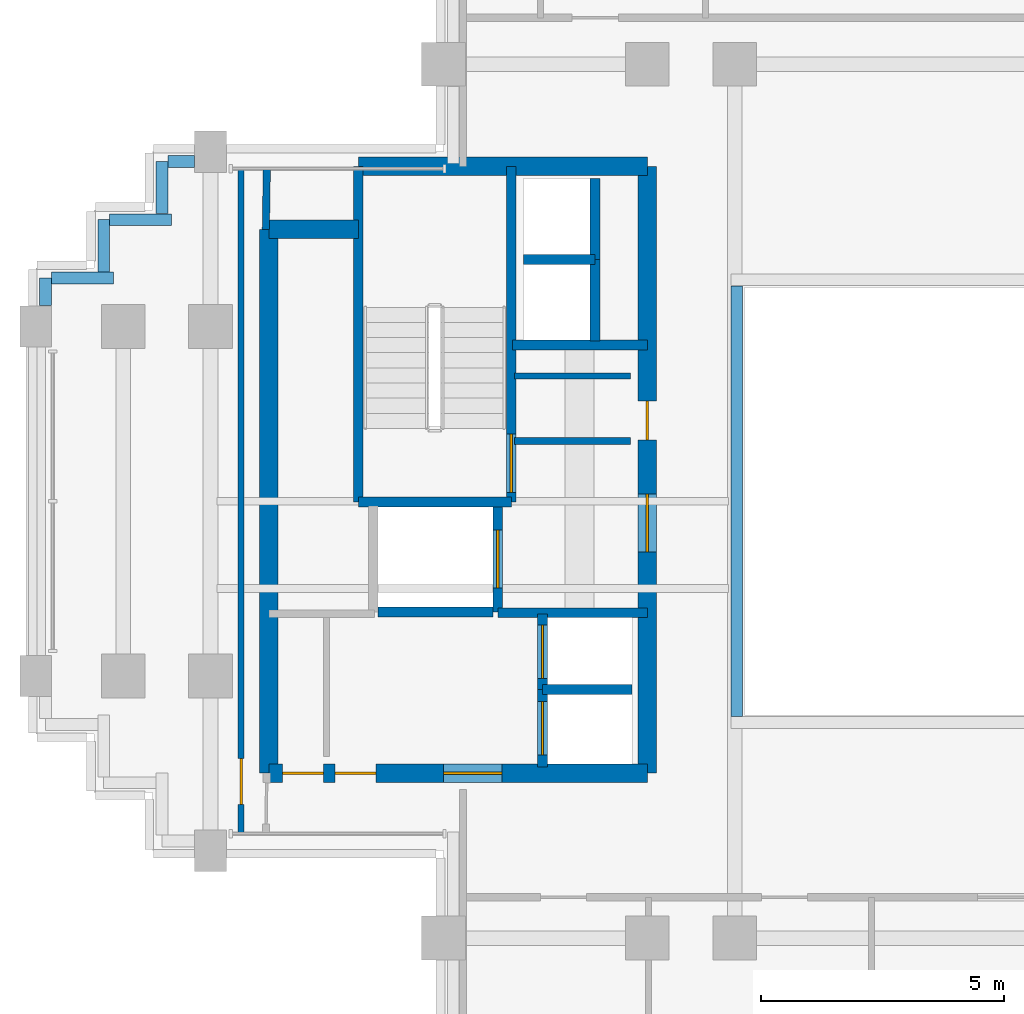
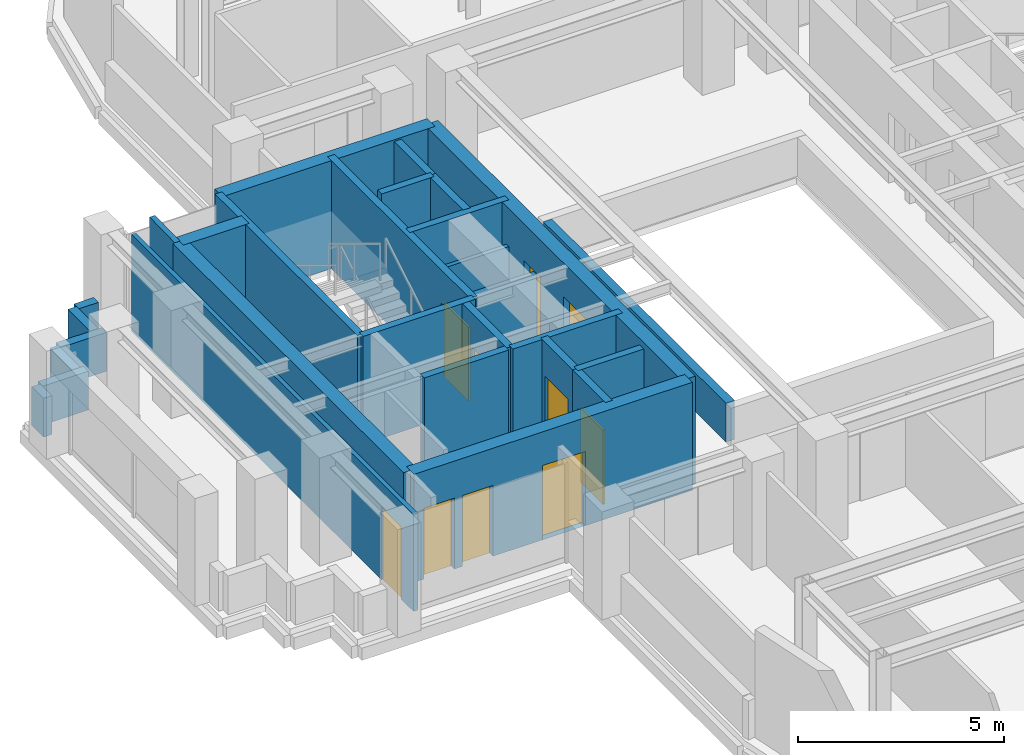
# One storey, part 6 of 11: 29 walls, 10 doors, 10 openings.
"""IFC4 building model written with IfcOpenShell, lengths in metres."""

from ifc_helpers import new_model, si_unit, direction, frame, frame_2d, origin, place, context, subcontext, project, spatial, rectangle, extrude, source, transform, mapped, material, layer, layer_set, type_object, element, fill, save


model = new_model("IFC4")

# Units and contexts
model_context = context("Model", 3, precision=1e-05, world=origin(), true_north=direction((0.0, 1.0)))
body_context = subcontext(model_context, "Body", "Model", "MODEL_VIEW")
ifc_project = project(units=[si_unit("LENGTHUNIT", "METRE"), si_unit("AREAUNIT", "SQUARE_METRE"), si_unit("VOLUMEUNIT", "CUBIC_METRE"), si_unit("PLANEANGLEUNIT", "RADIAN"), si_unit("MASSUNIT", "GRAM", prefix="KILO")], contexts=[model_context])

# Site, building, storey
site_placement = place(None, origin())
site = spatial("IfcSite", under=ifc_project, at=site_placement, CompositionType="ELEMENT")
building_placement = place(site_placement, origin())
building = spatial("IfcBuilding", under=site, at=building_placement, Name="Keilestroom Media Tower", CompositionType="ELEMENT")
storey_placement = place(building_placement, frame((0.0, 0.0, 167.199951171875)))
storey = spatial("IfcBuildingStorey", under=building, at=storey_placement, Name="L45", CompositionType="ELEMENT", Elevation=167.199951171875)

# Wall
ifc_material_1 = material(Name="Gypsum Plasterboard & Steel Stud", Category="steel")
ifc_layer_1 = layer(ifc_material_1, 0.1201171875)
ifc_layer_set_1 = layer_set([ifc_layer_1], Name="Gypsum Plasterboard & Steel Stud")
wall_type_1 = type_object("IfcWallType", Name="Interior-Partition-Wall-120", PredefinedType="PARTITIONING", material=ifc_layer_set_1)
wall_1_placement = place(storey_placement, frame((-8.139892578125, 2.580078125, 0.0), z_axis=(0.0, 0.0, 1.0), x_axis=(1.0, 0.0, 0.0)))
element("IfcWall", 1, at=wall_1_placement, inside=storey, type_object=wall_type_1, Name="L45 Interior Wall WP-L45-CNW-N", PredefinedType="PARTITIONING", context=body_context, shape_type="SweptSolid", body=[
    extrude(rectangle(XDim=2.389892578125, YDim=0.1201171875, at=frame_2d((1.19482421875, 0.0))), origin(), (0.0, 0.0, 1.0), 2.300048828125),
])

# Wall, opening, door
wall_2_placement = place(storey_placement, frame((-13.77001953125, -6.85009765625, 0.0), z_axis=(0.0, 0.0, 1.0), x_axis=(0.0, 1.0, 0.0)))
wall_2 = element("IfcWall", 2, at=wall_2_placement, inside=storey, type_object=wall_type_1, Name="L45 Interior Wall WP-L45-WA-CE", PredefinedType="PARTITIONING", context=body_context, shape_type="SweptSolid", body=[
    extrude(rectangle(XDim=13.7001953125, YDim=0.1201171875, at=frame_2d((6.85009765625, 0.0))), origin(), (0.0, 0.0, 1.0), 2.8701171875),
])
opening_1_placement = place(wall_2_placement, frame((0.60009765625, 0.0, 0.0)))
opening_1 = element("IfcOpeningElement", 3, at=opening_1_placement, cuts=wall_2, Name="Opening DI-03", PredefinedType="OPENING", context=body_context, shape_type="SweptSolid", body=[
    extrude(rectangle(XDim=0.949951171875, YDim=2.14990234375, at=frame_2d((0.47509765625, 1.074951171875))), frame((0.0, 0.070068359375, 0.0), z_axis=(0.0, -1.0, 0.0), x_axis=(1.0, 0.0, 0.0)), (0.0, 0.0, 1.0), 0.14013671875),
])
ifc_material_2 = material(Name="Lacquered European Oak Leaf", Category="wood")
door_type_1 = type_object("IfcDoorType", Name="Interior-Room-And-Suite-Door-DI-03", OperationType="NOTDEFINED", PredefinedType="DOOR", material=ifc_material_2)
shared_shape_1 = source(origin(), body_context, "Body", "SweptSolid", [
    extrude(rectangle(XDim=0.949951171875, YDim=2.14990234375, at=frame_2d((0.47509765625, 1.074951171875))), frame((0.0, 0.02490234375, 0.0), z_axis=(0.0, -1.0, 0.0), x_axis=(1.0, 0.0, 0.0)), (0.0, 0.0, 1.0), 0.050048828125),
])
door_1_placement = place(opening_1_placement, origin())
door_1 = element("IfcDoor", 4, at=door_1_placement, inside=storey, type_object=door_type_1, Name="L45 Interior Door DI-L45-DWA-END", OperationType="SINGLE_SWING_LEFT", OverallHeight=2.14990234375, OverallWidth=0.949951171875, PredefinedType="DOOR", context=body_context, shape_type="MappedRepresentation", body=[
    mapped(shared_shape_1, transform((0.0, 0.0, 0.0), x_axis=(1.0, 0.0, 0.0), y_axis=(0.0, 1.0, 0.0), z_axis=(0.0, 0.0, 1.0), scale=1.0)),
])
fill(opening_1, door_1)

# Walls
ifc_layer_2 = layer(ifc_material_1, 0.14990234375)
ifc_layer_set_2 = layer_set([ifc_layer_2], Name="Gypsum Plasterboard & Steel Stud")
wall_type_2 = type_object("IfcWallType", Name="Interior-Partition-Wall-150", PredefinedType="PARTITIONING", material=ifc_layer_set_2)
wall_3_placement = place(storey_placement, frame((-8.139892578125, 1.239990234375, 0.0), z_axis=(0.0, 0.0, 1.0), x_axis=(1.0, 0.0, 0.0)))
element("IfcWall", 5, at=wall_3_placement, inside=storey, type_object=wall_type_2, Name="L45 Interior Wall WP-L45-FFW-TOP", PredefinedType="PARTITIONING", context=body_context, shape_type="SweptSolid", body=[
    extrude(rectangle(XDim=2.389892578125, YDim=0.14990234375, at=frame_2d((1.19482421875, 0.0))), origin(), (0.0, 0.0, 1.0), 2.300048828125),
])
wall_4_placement = place(storey_placement, frame((-13.260009765625, 5.60009765625, 0.0), z_axis=(0.0, 0.0, 1.0), x_axis=(0.016013571389, 0.999871774545, 0.0)))
element("IfcWall", 6, at=wall_4_placement, inside=storey, type_object=wall_type_2, Name="L45 Interior Wall WP-L45-WA-ENTN", PredefinedType="PARTITIONING", context=body_context, shape_type="SweptSolid", body=[
    extrude(rectangle(XDim=1.250244140625, YDim=0.14990234375, at=frame_2d((0.625, 0.0))), origin(), (0.0, 0.0, 1.0), 3.199951171875),
])
ifc_material_3 = material(Name="Concrete C55/67", Category="concrete")
ifc_layer_3 = layer(ifc_material_3, 0.3798828125)
ifc_layer_set_3 = layer_set([ifc_layer_3], Name="Concrete C55/67")
wall_type_3 = type_object("IfcWallType", Name="Reinforced-Concrete-Core-Shear-Wall-380", PredefinedType="SHEAR", material=ifc_layer_set_3)
wall_5_placement = place(storey_placement, frame((-13.199951171875, -5.60009765625, 0.0), z_axis=(0.0, 0.0, 1.0), x_axis=(0.0, 1.0, 0.0)))
element("IfcWall", 7, at=wall_5_placement, inside=storey, type_object=wall_type_3, Name="L45 Core Shear Wall WL-L45-CORE-W-OUT", PredefinedType="SHEAR", context=body_context, shape_type="SweptSolid", body=[
    extrude(rectangle(XDim=11.2001953125, YDim=0.3798828125, at=frame_2d((5.60009765625, 0.0))), origin(), (0.0, 0.0, 1.0), 3.199951171875),
])

# Wall, openings, doors
wall_6_placement = place(storey_placement, frame((-5.39990234375, -5.60009765625, 0.0), z_axis=(0.0, 0.0, 1.0), x_axis=(0.0, 1.0, 0.0)))
wall_6 = element("IfcWall", 8, at=wall_6_placement, inside=storey, type_object=wall_type_3, Name="L45 Core Shear Wall WL-L45-CORE-W-IN", PredefinedType="SHEAR", context=body_context, shape_type="SweptSolid", body=[
    extrude(rectangle(XDim=12.5, YDim=0.3798828125, at=frame_2d((6.25, 0.0))), origin(), (0.0, 0.0, 1.0), 3.199951171875),
])
opening_2_placement = place(wall_6_placement, frame((4.550048828125, 0.0, 0.0)))
opening_2 = element("IfcOpeningElement", 9, at=opening_2_placement, cuts=wall_6, Name="Opening DI-02", PredefinedType="OPENING", context=body_context, shape_type="SweptSolid", body=[
    extrude(rectangle(XDim=1.199951171875, YDim=2.199951171875, at=frame_2d((0.60009765625, 1.10009765625))), frame((0.0, 0.199951171875, 0.0), z_axis=(0.0, -1.0, 0.0), x_axis=(1.0, 0.0, 0.0)), (0.0, 0.0, 1.0), 0.39990234375),
])
opening_3_placement = place(wall_6_placement, frame((6.860107421875, 0.0, 0.0)))
opening_3 = element("IfcOpeningElement", 10, at=opening_3_placement, cuts=wall_6, Name="Opening DI-06", PredefinedType="OPENING", context=body_context, shape_type="SweptSolid", body=[
    extrude(rectangle(XDim=0.800048828125, YDim=2.10009765625, at=frame_2d((0.39990234375, 1.050048828125))), frame((0.0, 0.199951171875, 0.0), z_axis=(0.0, -1.0, 0.0), x_axis=(1.0, 0.0, 0.0)), (0.0, 0.0, 1.0), 0.39990234375),
])
ifc_material_4 = material(Name="Powder-Coated Steel Fire Leaf", Category="steel")
door_type_2 = type_object("IfcDoorType", Name="Interior-Compartment-Fire-Door-DI-02", OperationType="NOTDEFINED", PredefinedType="DOOR", material=ifc_material_4)
shared_shape_2 = source(origin(), body_context, "Body", "SweptSolid", [
    extrude(rectangle(XDim=1.199951171875, YDim=2.199951171875, at=frame_2d((0.60009765625, 1.10009765625))), frame((0.0, 0.02490234375, 0.0), z_axis=(0.0, -1.0, 0.0), x_axis=(1.0, 0.0, 0.0)), (0.0, 0.0, 1.0), 0.050048828125),
])
door_2_placement = place(opening_2_placement, origin())
door_2 = element("IfcDoor", 11, at=door_2_placement, inside=storey, type_object=door_type_2, Name="L45 W Firefighting Lobby Door", OperationType="SINGLE_SWING_RIGHT", OverallHeight=2.199951171875, OverallWidth=1.199951171875, PredefinedType="DOOR", context=body_context, shape_type="MappedRepresentation", body=[
    mapped(shared_shape_2, transform((0.0, 0.0, 0.0), x_axis=(1.0, 0.0, 0.0), y_axis=(0.0, 1.0, 0.0), z_axis=(0.0, 0.0, 1.0), scale=1.0)),
])
fill(opening_2, door_2)
ifc_material_5 = material(Name="Powder-Coated Steel Service Leaf", Category="steel")
door_type_3 = type_object("IfcDoorType", Name="Interior-Riser-Access-Door-DI-06", OperationType="NOTDEFINED", PredefinedType="DOOR", material=ifc_material_5)
shared_shape_3 = source(origin(), body_context, "Body", "SweptSolid", [
    extrude(rectangle(XDim=0.800048828125, YDim=2.10009765625, at=frame_2d((0.39990234375, 1.050048828125))), frame((0.0, 0.02490234375, 0.0), z_axis=(0.0, -1.0, 0.0), x_axis=(1.0, 0.0, 0.0)), (0.0, 0.0, 1.0), 0.050048828125),
])
door_3_placement = place(opening_3_placement, origin())
door_3 = element("IfcDoor", 12, at=door_3_placement, inside=storey, type_object=door_type_3, Name="L45 West Core Switchroom Door", OperationType="SINGLE_SWING_LEFT", OverallHeight=2.10009765625, OverallWidth=0.800048828125, PredefinedType="DOOR", context=body_context, shape_type="MappedRepresentation", body=[
    mapped(shared_shape_3, transform((0.0, 0.0, 0.0), x_axis=(1.0, 0.0, 0.0), y_axis=(0.0, 1.0, 0.0), z_axis=(0.0, 0.0, 1.0), scale=1.0)),
])
fill(opening_3, door_3)

# Walls
wall_7_placement = place(storey_placement, frame((-11.35595703125, 6.89990234375, 0.0), z_axis=(0.0, 0.0, 1.0), x_axis=(1.0, 0.0, 0.0)))
element("IfcWall", 13, at=wall_7_placement, inside=storey, type_object=wall_type_3, Name="L45 Core Shear Wall WL-L45-CORE-W-N", PredefinedType="SHEAR", context=body_context, shape_type="SweptSolid", body=[
    extrude(rectangle(XDim=5.9560546875, YDim=0.3798828125, at=frame_2d((2.97802734375, 0.0))), origin(), (0.0, 0.0, 1.0), 3.199951171875),
])
wall_8_placement = place(storey_placement, frame((-13.199951171875, 5.60009765625, 0.0), z_axis=(0.0, 0.0, 1.0), x_axis=(1.0, 0.0, 0.0)))
element("IfcWall", 14, at=wall_8_placement, inside=storey, type_object=wall_type_3, Name="L45 Core Shear Wall WL-L45-CNW-N", PredefinedType="SHEAR", context=body_context, shape_type="SweptSolid", body=[
    extrude(rectangle(XDim=1.843994140625, YDim=0.3798828125, at=frame_2d((0.921875, 0.0))), origin(), (0.0, 0.0, 1.0), 3.199951171875),
])

# Wall, openings, doors
wall_9_placement = place(storey_placement, frame((-13.199951171875, -5.60009765625, 0.0), z_axis=(0.0, 0.0, 1.0), x_axis=(1.0, 0.0, 0.0)))
wall_9 = element("IfcWall", 15, at=wall_9_placement, inside=storey, type_object=wall_type_3, Name="L45 Core Shear Wall WL-L45-CORE-W-S", PredefinedType="SHEAR", context=body_context, shape_type="SweptSolid", body=[
    extrude(rectangle(XDim=7.800048828125, YDim=0.3798828125, at=frame_2d((3.89990234375, 0.0))), origin(), (0.0, 0.0, 1.0), 3.199951171875),
])
opening_4_placement = place(wall_9_placement, frame((3.60009765625, 0.0, 0.0)))
opening_4 = element("IfcOpeningElement", 16, at=opening_4_placement, cuts=wall_9, Name="Opening DI-02", PredefinedType="OPENING", context=body_context, shape_type="SweptSolid", body=[
    extrude(rectangle(XDim=1.199951171875, YDim=2.199951171875, at=frame_2d((0.60009765625, 1.10009765625))), frame((0.0, 0.199951171875, 0.0), z_axis=(0.0, -1.0, 0.0), x_axis=(1.0, 0.0, 0.0)), (0.0, 0.0, 1.0), 0.39990234375),
])
opening_5_placement = place(wall_9_placement, frame((0.280029296875, 0.0, 0.0)))
opening_5 = element("IfcOpeningElement", 17, at=opening_5_placement, cuts=wall_9, Name="Opening DI-05", PredefinedType="OPENING", context=body_context, shape_type="SweptSolid", body=[
    extrude(rectangle(XDim=0.85009765625, YDim=2.10009765625, at=frame_2d((0.425048828125, 1.050048828125))), frame((0.0, 0.199951171875, 0.0), z_axis=(0.0, -1.0, 0.0), x_axis=(1.0, 0.0, 0.0)), (0.0, 0.0, 1.0), 0.39990234375),
])
opening_6_placement = place(wall_9_placement, frame((1.360107421875, 0.0, 0.0)))
opening_6 = element("IfcOpeningElement", 18, at=opening_6_placement, cuts=wall_9, Name="Opening DI-05", PredefinedType="OPENING", context=body_context, shape_type="SweptSolid", body=[
    extrude(rectangle(XDim=0.85009765625, YDim=2.10009765625, at=frame_2d((0.425048828125, 1.050048828125))), frame((0.0, 0.199951171875, 0.0), z_axis=(0.0, -1.0, 0.0), x_axis=(1.0, 0.0, 0.0)), (0.0, 0.0, 1.0), 0.39990234375),
])
door_4_placement = place(opening_4_placement, origin())
door_4 = element("IfcDoor", 19, at=door_4_placement, inside=storey, type_object=door_type_2, Name="L45 W Passenger Lift Lobby Door", OperationType="SINGLE_SWING_LEFT", OverallHeight=2.199951171875, OverallWidth=1.199951171875, PredefinedType="DOOR", context=body_context, shape_type="MappedRepresentation", body=[
    mapped(shared_shape_2, transform((0.0, 0.0, 0.0), x_axis=(1.0, 0.0, 0.0), y_axis=(0.0, 1.0, 0.0), z_axis=(0.0, 0.0, 1.0), scale=1.0)),
])
fill(opening_4, door_4)
ifc_material_6 = material(Name="Moisture-Resistant Oak Leaf", Category="wood")
door_type_4 = type_object("IfcDoorType", Name="Interior-En-Suite-And-Cupboard-Door-DI-05", OperationType="NOTDEFINED", PredefinedType="DOOR", material=ifc_material_6)
shared_shape_4 = source(origin(), body_context, "Body", "SweptSolid", [
    extrude(rectangle(XDim=0.85009765625, YDim=2.10009765625, at=frame_2d((0.425048828125, 1.050048828125))), frame((0.0, 0.02490234375, 0.0), z_axis=(0.0, -1.0, 0.0), x_axis=(1.0, 0.0, 0.0)), (0.0, 0.0, 1.0), 0.050048828125),
])
door_5_placement = place(opening_5_placement, origin())
door_5 = element("IfcDoor", 20, at=door_5_placement, inside=storey, type_object=door_type_4, Name="L45 Reclaimed West Closet 1 Door", OperationType="SINGLE_SWING_LEFT", OverallHeight=2.10009765625, OverallWidth=0.85009765625, PredefinedType="DOOR", context=body_context, shape_type="MappedRepresentation", body=[
    mapped(shared_shape_4, transform((0.0, 0.0, 0.0), x_axis=(1.0, 0.0, 0.0), y_axis=(0.0, 1.0, 0.0), z_axis=(0.0, 0.0, 1.0), scale=1.0)),
])
fill(opening_5, door_5)
door_6_placement = place(opening_6_placement, origin())
door_6 = element("IfcDoor", 21, at=door_6_placement, inside=storey, type_object=door_type_4, Name="L45 Reclaimed West Closet 2 Door", OperationType="SINGLE_SWING_RIGHT", OverallHeight=2.10009765625, OverallWidth=0.85009765625, PredefinedType="DOOR", context=body_context, shape_type="MappedRepresentation", body=[
    mapped(shared_shape_4, transform((0.0, 0.0, 0.0), x_axis=(1.0, 0.0, 0.0), y_axis=(0.0, 1.0, 0.0), z_axis=(0.0, 0.0, 1.0), scale=1.0)),
])
fill(opening_6, door_6)

# Walls
ifc_material_7 = material(Name="Concrete C50/60", Category="concrete")
ifc_layer_4 = layer(ifc_material_7, 0.199951171875)
ifc_layer_set_4 = layer_set([ifc_layer_4], Name="Concrete C50/60")
wall_type_4 = type_object("IfcWallType", Name="Reinforced-Concrete-Shaft-Wall-200", PredefinedType="SOLIDWALL", material=ifc_layer_set_4)
wall_10_placement = place(storey_placement, frame((-8.179931640625, 3.219970703125, 0.0), z_axis=(0.0, 0.0, 1.0), x_axis=(1.0, 0.0, 0.0)))
element("IfcWall", 22, at=wall_10_placement, inside=storey, type_object=wall_type_4, Name="L45 Core Shear Wall WL-L45-CORE-W-FFN", PredefinedType="SOLIDWALL", context=body_context, shape_type="SweptSolid", body=[
    extrude(rectangle(XDim=2.780029296875, YDim=0.199951171875, at=frame_2d((1.39013671875, 0.0))), origin(), (0.0, 0.0, 1.0), 3.199951171875),
])
wall_11_placement = place(storey_placement, frame((-8.47998046875, -2.300048828125, 0.0), z_axis=(0.0, 0.0, 1.0), x_axis=(1.0, 0.0, 0.0)))
element("IfcWall", 23, at=wall_11_placement, inside=storey, type_object=wall_type_4, Name="L45 Core Shear Wall WL-L45-CORE-W-FFS", PredefinedType="SOLIDWALL", context=body_context, shape_type="SweptSolid", body=[
    extrude(rectangle(XDim=3.080078125, YDim=0.199951171875, at=frame_2d((1.5400390625, 0.0))), origin(), (0.0, 0.0, 1.0), 3.199951171875),
])

# Wall, opening, door
wall_12_placement = place(storey_placement, frame((-8.2041015625, -0.01611328125, 0.0), z_axis=(0.0, 0.0, 1.0), x_axis=(0.0, 1.0, 0.0)))
wall_12 = element("IfcWall", 24, at=wall_12_placement, inside=storey, type_object=wall_type_4, Name="L45 Core Shear Wall WL-L45-STW-W-NEAR", PredefinedType="SOLIDWALL", context=body_context, shape_type="SweptSolid", body=[
    extrude(rectangle(XDim=6.916015625, YDim=0.199951171875, at=frame_2d((3.4580078125, 0.0))), origin(), (0.0, 0.0, 1.0), 3.199951171875),
])
opening_7_placement = place(wall_12_placement, frame((0.199951171875, 0.0, 0.0)))
opening_7 = element("IfcOpeningElement", 25, at=opening_7_placement, cuts=wall_12, Name="Opening DI-01S", PredefinedType="OPENING", context=body_context, shape_type="SweptSolid", body=[
    extrude(rectangle(XDim=1.199951171875, YDim=2.199951171875, at=frame_2d((0.60009765625, 1.10009765625))), frame((0.0, 0.10986328125, 0.0), z_axis=(0.0, -1.0, 0.0), x_axis=(1.0, 0.0, 0.0)), (0.0, 0.0, 1.0), 0.219970703125),
])
door_type_5 = type_object("IfcDoorType", Name="Interior-Stair-And-Core-Fire-Door-DI-01", OperationType="NOTDEFINED", PredefinedType="DOOR", material=ifc_material_4)
door_7_placement = place(opening_7_placement, origin())
door_7 = element("IfcDoor", 26, at=door_7_placement, inside=storey, type_object=door_type_5, Name="L45 Escape Stair ST-1 Fire Door", OperationType="SINGLE_SWING_LEFT", OverallHeight=2.199951171875, OverallWidth=1.199951171875, PredefinedType="DOOR", context=body_context, shape_type="MappedRepresentation", body=[
    mapped(shared_shape_2, transform((0.0, 0.0, 0.0), x_axis=(1.0, 0.0, 0.0), y_axis=(0.0, 1.0, 0.0), z_axis=(0.0, 0.0, 1.0), scale=1.0)),
])
fill(opening_7, door_7)

# Walls
wall_13_placement = place(storey_placement, frame((-11.35595703125, -0.01611328125, 0.0), z_axis=(0.0, 0.0, 1.0), x_axis=(0.0, 1.0, 0.0)))
element("IfcWall", 27, at=wall_13_placement, inside=storey, type_object=wall_type_4, Name="L45 Core Shear Wall WL-L45-STW-W-FAR", PredefinedType="SOLIDWALL", context=body_context, shape_type="SweptSolid", body=[
    extrude(rectangle(XDim=6.916015625, YDim=0.199951171875, at=frame_2d((3.4580078125, 0.0))), origin(), (0.0, 0.0, 1.0), 3.199951171875),
])
wall_14_placement = place(storey_placement, frame((-11.35595703125, -0.01611328125, 0.0), z_axis=(0.0, 0.0, 1.0), x_axis=(1.0, 0.0, 0.0)))
element("IfcWall", 28, at=wall_14_placement, inside=storey, type_object=wall_type_4, Name="L45 Core Shear Wall WL-L45-STW-W-S", PredefinedType="SOLIDWALL", context=body_context, shape_type="SweptSolid", body=[
    extrude(rectangle(XDim=3.15185546875, YDim=0.199951171875, at=frame_2d((1.575927734375, 0.0))), origin(), (0.0, 0.0, 1.0), 3.199951171875),
])

# Wall, opening, door
wall_15_placement = place(storey_placement, frame((-8.47998046875, -2.280029296875, 0.0), z_axis=(0.0, 0.0, 1.0), x_axis=(0.0, 1.0, 0.0)))
wall_15 = element("IfcWall", 29, at=wall_15_placement, inside=storey, type_object=wall_type_4, Name="L45 Core Shear Wall WL-L45-LSH-FFL-1-E", PredefinedType="SOLIDWALL", context=body_context, shape_type="SweptSolid", body=[
    extrude(rectangle(XDim=2.179931640625, YDim=0.199951171875, at=frame_2d((1.08984375, 0.0))), origin(), (0.0, 0.0, 1.0), 3.199951171875),
])
opening_8_placement = place(wall_15_placement, frame((0.489990234375, 0.0, 0.0)))
opening_8 = element("IfcOpeningElement", 30, at=opening_8_placement, cuts=wall_15, Name="Opening LD-02", PredefinedType="OPENING", context=body_context, shape_type="SweptSolid", body=[
    extrude(rectangle(XDim=1.199951171875, YDim=2.199951171875, at=frame_2d((0.60009765625, 1.10009765625))), frame((0.0, 0.10986328125, 0.0), z_axis=(0.0, -1.0, 0.0), x_axis=(1.0, 0.0, 0.0)), (0.0, 0.0, 1.0), 0.219970703125),
])
ifc_material_8 = material(Name="Brushed Stainless Steel Sliding Leaf", Category="steel")
door_type_6 = type_object("IfcDoorType", Name="Lift-Landing-Sliding-Door-LD-02", OperationType="SLIDING_TO_RIGHT", PredefinedType="DOOR", material=ifc_material_8)
door_8_placement = place(opening_8_placement, origin())
door_8 = element("IfcDoor", 31, at=door_8_placement, inside=storey, type_object=door_type_6, Name="L45 Lift FFL-1 Landing Sliding Door", OperationType="SLIDING_TO_RIGHT", OverallHeight=2.199951171875, OverallWidth=1.199951171875, PredefinedType="DOOR", context=body_context, shape_type="MappedRepresentation", body=[
    mapped(shared_shape_2, transform((0.0, 0.0, 0.0), x_axis=(1.0, 0.0, 0.0), y_axis=(0.0, 1.0, 0.0), z_axis=(0.0, 0.0, 1.0), scale=1.0)),
])
fill(opening_8, door_8)

# Wall
wall_16_placement = place(storey_placement, frame((-10.946044921875, -2.280029296875, 0.0), z_axis=(0.0, 0.0, 1.0), x_axis=(1.0, 0.0, 0.0)))
element("IfcWall", 32, at=wall_16_placement, inside=storey, type_object=wall_type_4, Name="L45 Core Shear Wall WL-L45-LSH-FFL-1-S", PredefinedType="SOLIDWALL", context=body_context, shape_type="SweptSolid", body=[
    extrude(rectangle(XDim=2.362060546875, YDim=0.199951171875, at=frame_2d((1.18115234375, 0.0))), origin(), (0.0, 0.0, 1.0), 3.199951171875),
])

# Wall, opening, door
wall_17_placement = place(storey_placement, frame((-7.56005859375, -5.47998046875, 0.0), z_axis=(0.0, 0.0, 1.0), x_axis=(0.0, 1.0, 0.0)))
wall_17 = element("IfcWall", 33, at=wall_17_placement, inside=storey, type_object=wall_type_4, Name="L45 Core Shear Wall WL-L45-LSH-PL-M1-W", PredefinedType="SOLIDWALL", context=body_context, shape_type="SweptSolid", body=[
    extrude(rectangle(XDim=1.60009765625, YDim=0.199951171875, at=frame_2d((0.800048828125, 0.0))), origin(), (0.0, 0.0, 1.0), 3.199951171875),
])
opening_9_placement = place(wall_17_placement, frame((0.25, 0.0, 0.0)))
opening_9 = element("IfcOpeningElement", 34, at=opening_9_placement, cuts=wall_17, Name="Opening LD-01", PredefinedType="OPENING", context=body_context, shape_type="SweptSolid", body=[
    extrude(rectangle(XDim=1.10009765625, YDim=2.199951171875, at=frame_2d((0.550048828125, 1.10009765625))), frame((0.0, 0.10986328125, 0.0), z_axis=(0.0, -1.0, 0.0), x_axis=(1.0, 0.0, 0.0)), (0.0, 0.0, 1.0), 0.219970703125),
])
door_type_7 = type_object("IfcDoorType", Name="Lift-Landing-Sliding-Door-LD-01", OperationType="SLIDING_TO_LEFT", PredefinedType="DOOR", material=ifc_material_8)
shared_shape_5 = source(origin(), body_context, "Body", "SweptSolid", [
    extrude(rectangle(XDim=1.10009765625, YDim=2.199951171875, at=frame_2d((0.550048828125, 1.10009765625))), frame((0.0, 0.02490234375, 0.0), z_axis=(0.0, -1.0, 0.0), x_axis=(1.0, 0.0, 0.0)), (0.0, 0.0, 1.0), 0.050048828125),
])
door_9_placement = place(opening_9_placement, origin())
door_9 = element("IfcDoor", 35, at=door_9_placement, inside=storey, type_object=door_type_7, Name="L45 Lift PL-M1 Landing Sliding Door", OperationType="SLIDING_TO_LEFT", OverallHeight=2.199951171875, OverallWidth=1.10009765625, PredefinedType="DOOR", context=body_context, shape_type="MappedRepresentation", body=[
    mapped(shared_shape_5, transform((0.0, 0.0, 0.0), x_axis=(1.0, 0.0, 0.0), y_axis=(0.0, 1.0, 0.0), z_axis=(0.0, 0.0, 1.0), scale=1.0)),
])
fill(opening_9, door_9)

# Wall
wall_18_placement = place(storey_placement, frame((-7.56005859375, -3.8798828125, 0.0), z_axis=(0.0, 0.0, 1.0), x_axis=(1.0, 0.0, 0.0)))
element("IfcWall", 36, at=wall_18_placement, inside=storey, type_object=wall_type_4, Name="L45 Core Shear Wall WL-L45-LSH-PL-M1-N", PredefinedType="SOLIDWALL", context=body_context, shape_type="SweptSolid", body=[
    extrude(rectangle(XDim=1.840087890625, YDim=0.199951171875, at=frame_2d((0.919921875, 0.0))), origin(), (0.0, 0.0, 1.0), 3.199951171875),
])

# Wall, opening, door
wall_19_placement = place(storey_placement, frame((-7.56005859375, -3.8798828125, 0.0), z_axis=(0.0, 0.0, 1.0), x_axis=(0.0, 1.0, 0.0)))
wall_19 = element("IfcWall", 37, at=wall_19_placement, inside=storey, type_object=wall_type_4, Name="L45 Core Shear Wall WL-L45-LSH-PL-M2-W", PredefinedType="SOLIDWALL", context=body_context, shape_type="SweptSolid", body=[
    extrude(rectangle(XDim=1.559814453125, YDim=0.199951171875, at=frame_2d((0.77978515625, 0.0))), origin(), (0.0, 0.0, 1.0), 3.199951171875),
])
opening_10_placement = place(wall_19_placement, frame((0.22998046875, 0.0, 0.0)))
opening_10 = element("IfcOpeningElement", 38, at=opening_10_placement, cuts=wall_19, Name="Opening LD-01", PredefinedType="OPENING", context=body_context, shape_type="SweptSolid", body=[
    extrude(rectangle(XDim=1.10009765625, YDim=2.199951171875, at=frame_2d((0.550048828125, 1.10009765625))), frame((0.0, 0.10986328125, 0.0), z_axis=(0.0, -1.0, 0.0), x_axis=(1.0, 0.0, 0.0)), (0.0, 0.0, 1.0), 0.219970703125),
])
door_10_placement = place(opening_10_placement, origin())
door_10 = element("IfcDoor", 39, at=door_10_placement, inside=storey, type_object=door_type_7, Name="L45 Lift PL-M2 Landing Sliding Door", OperationType="SLIDING_TO_LEFT", OverallHeight=2.199951171875, OverallWidth=1.10009765625, PredefinedType="DOOR", context=body_context, shape_type="MappedRepresentation", body=[
    mapped(shared_shape_5, transform((0.0, 0.0, 0.0), x_axis=(1.0, 0.0, 0.0), y_axis=(0.0, 1.0, 0.0), z_axis=(0.0, 0.0, 1.0), scale=1.0)),
])
fill(opening_10, door_10)

# Walls
wall_20_placement = place(storey_placement, frame((-6.47998046875, 3.300048828125, 0.0), z_axis=(0.0, 0.0, 1.0), x_axis=(0.0, 1.0, 0.0)))
element("IfcWall", 40, at=wall_20_placement, inside=storey, type_object=wall_type_4, Name="L45 Core Shear Wall WL-L45-LSH-PL-H1-E", PredefinedType="SOLIDWALL", context=body_context, shape_type="SweptSolid", body=[
    extrude(rectangle(XDim=1.679931640625, YDim=0.199951171875, at=frame_2d((0.83984375, 0.0))), origin(), (0.0, 0.0, 1.0), 3.199951171875),
])
wall_21_placement = place(storey_placement, frame((-7.949951171875, 4.97998046875, 0.0), z_axis=(0.0, 0.0, 1.0), x_axis=(1.0, 0.0, 0.0)))
element("IfcWall", 41, at=wall_21_placement, inside=storey, type_object=wall_type_4, Name="L45 Core Shear Wall WL-L45-LSH-PL-H1-N", PredefinedType="SOLIDWALL", context=body_context, shape_type="SweptSolid", body=[
    extrude(rectangle(XDim=1.469970703125, YDim=0.199951171875, at=frame_2d((0.73486328125, 0.0))), origin(), (0.0, 0.0, 1.0), 3.199951171875),
])
wall_22_placement = place(storey_placement, frame((-6.47998046875, 4.97998046875, 0.0), z_axis=(0.0, 0.0, 1.0), x_axis=(0.0, 1.0, 0.0)))
element("IfcWall", 42, at=wall_22_placement, inside=storey, type_object=wall_type_4, Name="L45 Core Shear Wall WL-L45-LSH-PL-H2-E", PredefinedType="SOLIDWALL", context=body_context, shape_type="SweptSolid", body=[
    extrude(rectangle(XDim=1.669921875, YDim=0.199951171875, at=frame_2d((0.8349609375, 0.0))), origin(), (0.0, 0.0, 1.0), 3.199951171875),
])
ifc_material_9 = material(Name="Precast concrete C40/50", Category="concrete")
ifc_layer_5 = layer(ifc_material_9, 0.239990234375)
ifc_layer_set_5 = layer_set([ifc_layer_5], Name="Precast concrete C40/50")
wall_type_5 = type_object("IfcWallType", Name="Roof-And-Terrace-Parapet-Wall-240", PredefinedType="PARAPET", material=ifc_layer_set_5)
wall_23_placement = place(storey_placement, frame((-17.800048828125, 4.028076171875, 0.0), z_axis=(0.0, 0.0, 1.0), x_axis=(0.0, 1.0, 0.0)))
element("IfcWall", 43, at=wall_23_placement, inside=storey, type_object=wall_type_5, Name="L45 Perimeter Edge Parapet Wall 19", PredefinedType="PARAPET", context=body_context, shape_type="SweptSolid", body=[
    extrude(rectangle(XDim=0.572021484375, YDim=0.239990234375, at=frame_2d((0.2861328125, 0.0))), origin(), (0.0, 0.0, 1.0), 1.150146484375),
])
wall_24_placement = place(storey_placement, frame((-17.677001953125, 4.60009765625, 0.0), z_axis=(0.0, 0.0, 1.0), x_axis=(1.0, 0.0, 0.0)))
element("IfcWall", 44, at=wall_24_placement, inside=storey, type_object=wall_type_5, Name="L45 Perimeter Edge Parapet Wall 20", PredefinedType="PARAPET", context=body_context, shape_type="SweptSolid", body=[
    extrude(rectangle(XDim=1.277099609375, YDim=0.239990234375, at=frame_2d((0.638671875, 0.0))), origin(), (0.0, 0.0, 1.0), 1.150146484375),
])
wall_25_placement = place(storey_placement, frame((-16.60009765625, 4.722900390625, 0.0), z_axis=(0.0, 0.0, 1.0), x_axis=(0.0, 1.0, 0.0)))
element("IfcWall", 45, at=wall_25_placement, inside=storey, type_object=wall_type_5, Name="L45 Perimeter Edge Parapet Wall 21", PredefinedType="PARAPET", context=body_context, shape_type="SweptSolid", body=[
    extrude(rectangle(XDim=1.0771484375, YDim=0.239990234375, at=frame_2d((0.53857421875, 0.0))), origin(), (0.0, 0.0, 1.0), 1.150146484375),
])
wall_26_placement = place(storey_placement, frame((-16.47705078125, 5.800048828125, 0.0), z_axis=(0.0, 0.0, 1.0), x_axis=(1.0, 0.0, 0.0)))
element("IfcWall", 46, at=wall_26_placement, inside=storey, type_object=wall_type_5, Name="L45 Perimeter Edge Parapet Wall 22", PredefinedType="PARAPET", context=body_context, shape_type="SweptSolid", body=[
    extrude(rectangle(XDim=1.277099609375, YDim=0.239990234375, at=frame_2d((0.638671875, 0.0))), origin(), (0.0, 0.0, 1.0), 1.150146484375),
])
wall_27_placement = place(storey_placement, frame((-15.39990234375, 5.923095703125, 0.0), z_axis=(0.0, 0.0, 1.0), x_axis=(0.0, 1.0, 0.0)))
element("IfcWall", 47, at=wall_27_placement, inside=storey, type_object=wall_type_5, Name="L45 Perimeter Edge Parapet Wall 23", PredefinedType="PARAPET", context=body_context, shape_type="SweptSolid", body=[
    extrude(rectangle(XDim=1.076904296875, YDim=0.239990234375, at=frame_2d((0.53857421875, 0.0))), origin(), (0.0, 0.0, 1.0), 1.150146484375),
])
wall_28_placement = place(storey_placement, frame((-15.277099609375, 7.0, 0.0), z_axis=(0.0, 0.0, 1.0), x_axis=(1.0, 0.0, 0.0)))
element("IfcWall", 48, at=wall_28_placement, inside=storey, type_object=wall_type_5, Name="L45 Perimeter Edge Parapet Wall 24", PredefinedType="PARAPET", context=body_context, shape_type="SweptSolid", body=[
    extrude(rectangle(XDim=0.549072265625, YDim=0.239990234375, at=frame_2d((0.2744140625, 0.0))), origin(), (0.0, 0.0, 1.0), 1.150146484375),
])
wall_29_placement = place(storey_placement, frame((-3.56005859375, -4.43505859375, 0.0), z_axis=(0.0, 0.0, 1.0), x_axis=(0.0, 1.0, 0.0)))
element("IfcWall", 49, at=wall_29_placement, inside=storey, type_object=wall_type_5, Name="L45 Central Atrium Guard Parapet W", PredefinedType="PARAPET", context=body_context, shape_type="SweptSolid", body=[
    extrude(rectangle(XDim=8.8701171875, YDim=0.239990234375, at=frame_2d((4.43505859375, 0.0))), origin(), (0.0, 0.0, 1.0), 1.150146484375),
])

save(model, "model.ifc")
